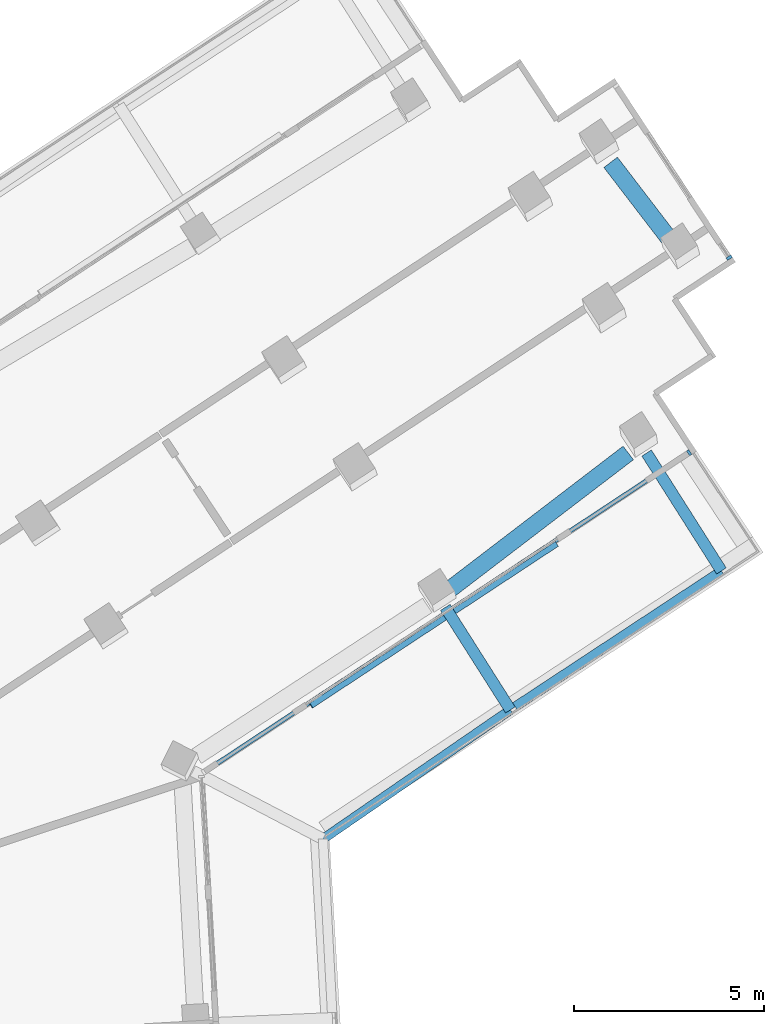
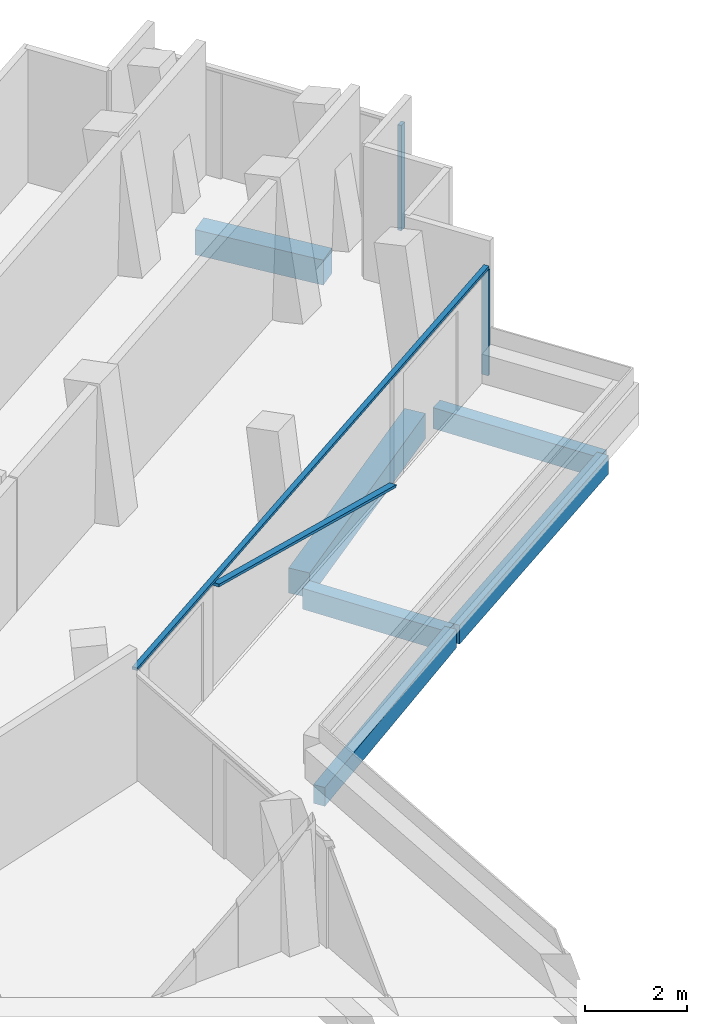
# One storey, part 9 of 26: 6 beams, 4 members, 2 elements without a shape of their own.
"""IFC4 building model written with IfcOpenShell, lengths in metres."""

from ifc_helpers import new_model, si_unit, direction, frame, origin, origin_2d, place, context, subcontext, project, spatial, rectangle, extrude, material, layer, layer_set, material_profile, profile_set, type_object, element, aggregate, save


model = new_model("IFC4")

# Units and contexts
model_context = context("Model", 3, precision=1e-05, world=origin(), true_north=direction((0.0, 1.0)))
body_context = subcontext(model_context, "Body", "Model", "MODEL_VIEW")
ifc_project = project(units=[si_unit("LENGTHUNIT", "METRE"), si_unit("AREAUNIT", "SQUARE_METRE"), si_unit("VOLUMEUNIT", "CUBIC_METRE"), si_unit("PLANEANGLEUNIT", "RADIAN"), si_unit("MASSUNIT", "GRAM", prefix="KILO")], contexts=[model_context])

# Site, building, storey
site_placement = place(None, origin())
site = spatial("IfcSite", under=ifc_project, at=site_placement, CompositionType="ELEMENT")
building_placement = place(site_placement, origin())
building = spatial("IfcBuilding", under=site, at=building_placement, Name="Verdalira Terraces Hotel", CompositionType="ELEMENT")
storey_placement = place(building_placement, frame((0.0, 0.0, 291.5)))
storey = spatial("IfcBuildingStorey", under=building, at=storey_placement, Name="L72", CompositionType="ELEMENT", Elevation=291.5)

# Beams
ifc_material_1 = material(Name="Concrete C40", Category="concrete")
ifc_material_profile_1 = material_profile(ifc_material_1, rectangle(XDim=0.300049, YDim=0.5, at=origin_2d()), Name="RC 300X500")
ifc_profile_set_1 = profile_set([ifc_material_profile_1], Name="Concrete C40")
beam_type_1 = type_object("IfcBeamType", Name="Balcony cantilever beam RC 300X500 C40", PredefinedType="BEAM", material=ifc_profile_set_1)
beam_1_placement = place(storey_placement, frame((30.195068, 12.340332, -0.560059), z_axis=(0.535864144, -0.844304222, 0.0), x_axis=(0.844304222, 0.535864144, 0.0)))
element("IfcBeam", 1, at=beam_1_placement, inside=storey, type_object=beam_type_1, Name="Balcony cantilever beam R27-4", PredefinedType="BEAM", context=body_context, shape_type="SweptSolid", body=[
    extrude(rectangle(XDim=0.300049, YDim=0.5, at=origin_2d()), origin(), (0.0, 0.0, 1.0), 3.203369),
])
beam_2_placement = place(storey_placement, frame((35.504395, 16.410889, -0.560059), z_axis=(0.535854424, -0.844310391, 0.0), x_axis=(0.844310391, 0.535854424, 0.0)))
element("IfcBeam", 2, at=beam_2_placement, inside=storey, type_object=beam_type_1, Name="Balcony cantilever beam R27-5", PredefinedType="BEAM", context=body_context, shape_type="SweptSolid", body=[
    extrude(rectangle(XDim=0.300049, YDim=0.5, at=origin_2d()), origin(), (0.0, 0.0, 1.0), 3.683594),
])
ifc_material_2 = material(Name="Concrete C40", Category="concrete")
ifc_material_profile_2 = material_profile(ifc_material_2, rectangle(XDim=0.25, YDim=0.449951, at=origin_2d()), Name="RC 250X450")
ifc_profile_set_2 = profile_set([ifc_material_profile_2], Name="Concrete C40")
beam_type_2 = type_object("IfcBeamType", Name="Balcony edge beam RC 250X450 C40", PredefinedType="BEAM", material=ifc_profile_set_2)
beam_3_placement = place(storey_placement, frame((26.968018, 6.231689, -0.534912), z_axis=(0.82362751, 0.567131136, 0.0), x_axis=(-0.567131136, 0.82362751, 0.0)))
element("IfcBeam", 3, at=beam_3_placement, inside=storey, type_object=beam_type_2, Name="Balcony edge beam R27-3", PredefinedType="BEAM", context=body_context, shape_type="SweptSolid", body=[
    extrude(rectangle(XDim=0.25, YDim=0.449951, at=origin_2d()), origin(), (0.0, 0.0, 1.0), 6.002197),
])
beam_4_placement = place(storey_placement, frame((32.036865, 9.718262, -0.534912), z_axis=(0.835230477, 0.549900037, 0.0), x_axis=(-0.549900037, 0.835230477, 0.0)))
element("IfcBeam", 4, at=beam_4_placement, inside=storey, type_object=beam_type_2, Name="Balcony edge beam R27-4", PredefinedType="BEAM", context=body_context, shape_type="SweptSolid", body=[
    extrude(rectangle(XDim=0.25, YDim=0.449951, at=origin_2d()), origin(), (0.0, 0.0, 1.0), 6.514893),
])

# Curtain wall, members
ifc_material_3 = material(Name="Clear glass", Category="glass")
ifc_layer_1 = layer(ifc_material_3, 0.14990234375)
ifc_layer_set_1 = layer_set([ifc_layer_1], Name="CW2 curtain wall")
curtain_wall_type_1 = type_object("IfcCurtainWallType", Name="CW2 curtain wall", PredefinedType="NOTDEFINED", material=ifc_layer_set_1)
curtain_wall_1_placement = place(storey_placement, origin())
curtain_wall_1 = element("IfcCurtainWall", 5, at=curtain_wall_1_placement, inside=storey, type_object=curtain_wall_type_1, Name="CW2 curtain wall L72 edge 28", PredefinedType="NOTDEFINED")
ifc_material_4 = material(Name="Terracotta frame", Category="masonry")
ifc_material_profile_3 = material_profile(ifc_material_4, rectangle(XDim=0.070068, YDim=0.149902, at=origin_2d()), Name="MU 70x150")
ifc_profile_set_3 = profile_set([ifc_material_profile_3], Name="Terracotta frame")
member_type_1 = type_object("IfcMemberType", Name="CW2 mullion 70x150", PredefinedType="MULLION", material=ifc_profile_set_3)
member_1_placement = place(storey_placement, frame((36.625732, 16.421143, 0.0), z_axis=(0.0, 0.0, 1.0), x_axis=(0.835231968, 0.549897772, 0.0)))
member_1 = element("IfcMember", 6, at=member_1_placement, type_object=member_type_1, Name="CW2 mullion", PredefinedType="MULLION", context=body_context, shape_type="SweptSolid", body=[
    extrude(rectangle(XDim=0.070068, YDim=0.149902, at=origin_2d()), origin(), (0.0, 0.0, 1.0), 2.524902),
])
ifc_material_5 = material(Name="Terracotta frame", Category="masonry")
ifc_material_profile_4 = material_profile(ifc_material_5, rectangle(XDim=0.11499, YDim=0.064941, at=origin_2d()), Name="TR 65x115")
ifc_profile_set_4 = profile_set([ifc_material_profile_4], Name="Terracotta frame")
member_type_2 = type_object("IfcMemberType", Name="CW2 transom 65x115", PredefinedType="USERDEFINED", material=ifc_profile_set_4)
member_2_placement = place(storey_placement, frame((23.794434, 7.973145, 2.557617), z_axis=(0.835229659, 0.549901279, 0.0), x_axis=(-0.549901279, 0.835229659, 0.0)))
member_2 = element("IfcMember", 7, at=member_2_placement, type_object=member_type_2, Name="CW2 transom", ObjectType="TRANSOM", PredefinedType="USERDEFINED", context=body_context, shape_type="SweptSolid", body=[
    extrude(rectangle(XDim=0.11499, YDim=0.064941, at=origin_2d()), origin(), (0.0, 0.0, 1.0), 15.397461),
])

# Curtain wall, member
ifc_material_6 = material(Name="Clear glass", Category="glass")
ifc_layer_2 = layer(ifc_material_6, 0.14990234375)
ifc_layer_set_2 = layer_set([ifc_layer_2], Name="CW3 curtain wall")
curtain_wall_type_2 = type_object("IfcCurtainWallType", Name="CW3 curtain wall", PredefinedType="NOTDEFINED", material=ifc_layer_set_2)
curtain_wall_2_placement = place(storey_placement, origin())
curtain_wall_2 = element("IfcCurtainWall", 8, at=curtain_wall_2_placement, inside=storey, type_object=curtain_wall_type_2, Name="CW3 curtain wall L72 edge 33", PredefinedType="NOTDEFINED")
ifc_material_7 = material(Name="Terracotta frame", Category="masonry")
ifc_material_profile_5 = material_profile(ifc_material_7, rectangle(XDim=0.080078, YDim=0.149902, at=origin_2d()), Name="MU 80x150")
ifc_profile_set_5 = profile_set([ifc_material_profile_5], Name="Terracotta frame")
member_type_3 = type_object("IfcMemberType", Name="CW3 mullion 80x150", PredefinedType="MULLION", material=ifc_profile_set_5)
member_3_placement = place(storey_placement, frame((37.681396, 21.563965, 0.0), z_axis=(0.0, 0.0, 1.0), x_axis=(-0.549897772, 0.835231968, 0.0)))
member_3 = element("IfcMember", 9, at=member_3_placement, type_object=member_type_3, Name="CW3 mullion", PredefinedType="MULLION", context=body_context, shape_type="SweptSolid", body=[
    extrude(rectangle(XDim=0.080078, YDim=0.149902, at=origin_2d()), origin(), (0.0, 0.0, 1.0), 2.524902),
])
aggregate(curtain_wall_2, [member_3])

# Member
ifc_material_8 = material(Name="Terracotta frame", Category="masonry")
ifc_material_profile_6 = material_profile(ifc_material_8, rectangle(XDim=0.149902, YDim=0.060059, at=origin_2d()), Name="GB 60x150")
ifc_profile_set_6 = profile_set([ifc_material_profile_6], Name="Terracotta frame")
member_type_4 = type_object("IfcMemberType", Name="Diagonal glazing bar 60x150", PredefinedType="USERDEFINED", material=ifc_profile_set_6)
member_4_placement = place(storey_placement, frame((26.652344, 9.74585, 2.49585), z_axis=(0.795929117, 0.524028425, -0.303135367), x_axis=(-0.549902719, 0.835228711, 0.0)))
member_4 = element("IfcMember", 10, at=member_4_placement, type_object=member_type_4, Name="Diagonal glazing bar", ObjectType="GLAZING BAR", PredefinedType="USERDEFINED", context=body_context, shape_type="SweptSolid", body=[
    extrude(rectangle(XDim=0.149902, YDim=0.060059, at=origin_2d()), origin(), (0.0, 0.0, 1.0), 8.136719),
])

aggregate(curtain_wall_1, [member_1, member_2, member_4])

# Beams
ifc_material_9 = material(Name="Concrete C40", Category="concrete")
ifc_material_profile_7 = material_profile(ifc_material_9, rectangle(XDim=0.449951, YDim=0.600098, at=origin_2d()), Name="RC 450X600")
ifc_profile_set_7 = profile_set([ifc_material_profile_7], Name="Concrete C40")
beam_type_3 = type_object("IfcBeamType", Name="Spandrel beam RC 450X600 C40", PredefinedType="SPANDREL", material=ifc_profile_set_7)
beam_5_placement = place(storey_placement, frame((30.317383, 12.816895, -0.610107), z_axis=(0.794374217, 0.607428681, 0.0), x_axis=(-0.607428681, 0.794374217, 0.0)))
element("IfcBeam", 11, at=beam_5_placement, inside=storey, type_object=beam_type_3, Name="Spandrel beam B20", PredefinedType="SPANDREL", context=body_context, shape_type="SweptSolid", body=[
    extrude(rectangle(XDim=0.449951, YDim=0.600098, at=origin_2d()), origin(), (0.0, 0.0, 1.0), 5.921143),
])
beam_6_placement = place(storey_placement, frame((36.216064, 21.910889, -0.610107), z_axis=(-0.608236319, 0.793755996, 0.0), x_axis=(-0.793755996, -0.608236319, 0.0)))
element("IfcBeam", 12, at=beam_6_placement, inside=storey, type_object=beam_type_3, Name="Spandrel beam B21", PredefinedType="SPANDREL", context=body_context, shape_type="SweptSolid", body=[
    extrude(rectangle(XDim=0.449951, YDim=0.600098, at=origin_2d()), origin(), (0.0, 0.0, 1.0), 2.730713),
])

save(model, "model.ifc")
